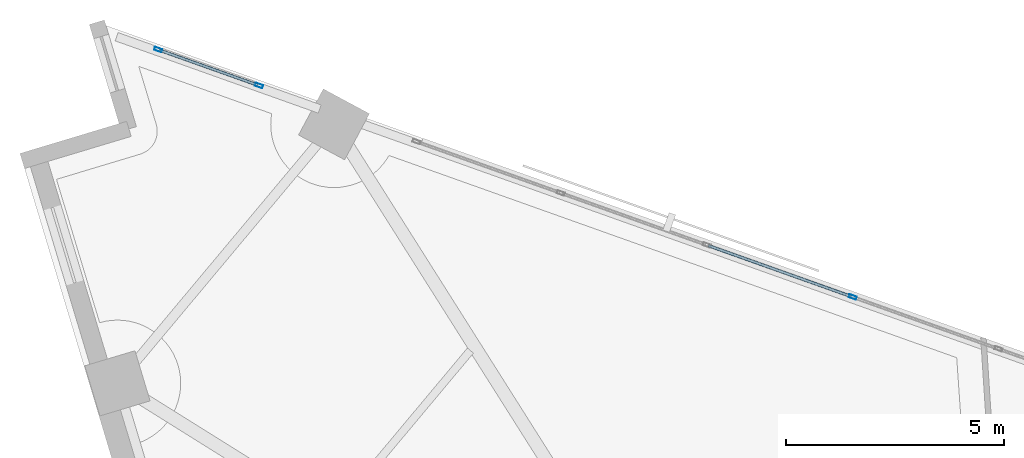
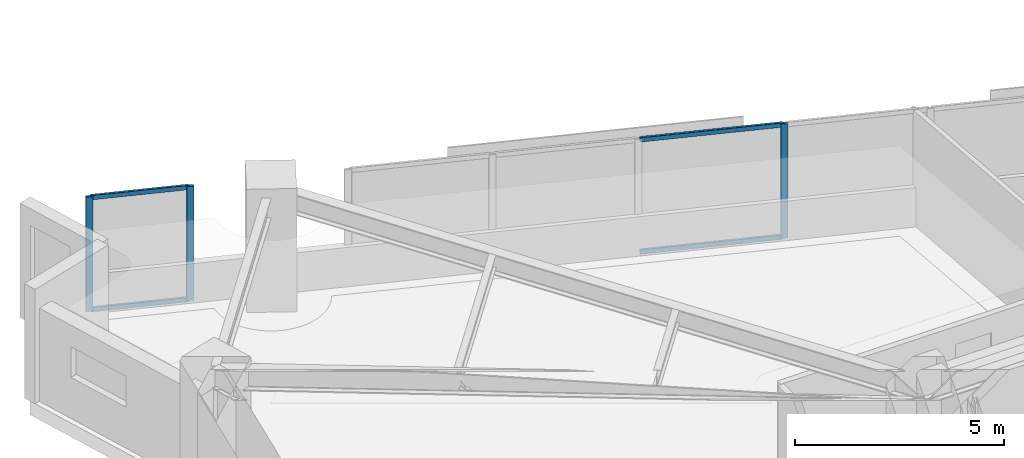
# One storey, part 7 of 16: 7 members, 2 elements without a shape of their own.
"""IFC4 building model written with IfcOpenShell, lengths in metres."""

from ifc_helpers import new_model, si_unit, direction, frame, origin, origin_2d, place, context, subcontext, project, spatial, hollow_rectangle, extrude, material, material_profile, profile_set, type_object, element, aggregate, save


model = new_model("IFC4")

# Units and contexts
model_context = context("Model", 3, precision=1e-05, world=origin(), true_north=direction((0.0, 1.0)))
body_context = subcontext(model_context, "Body", "Model", "MODEL_VIEW")
ifc_project = project(units=[si_unit("LENGTHUNIT", "METRE"), si_unit("AREAUNIT", "SQUARE_METRE"), si_unit("VOLUMEUNIT", "CUBIC_METRE"), si_unit("PLANEANGLEUNIT", "RADIAN"), si_unit("MASSUNIT", "GRAM", prefix="KILO")], contexts=[model_context])

# Site, building, storey
site_placement = place(None, origin())
site = spatial("IfcSite", under=ifc_project, at=site_placement, CompositionType="ELEMENT")
building_placement = place(site_placement, origin())
building = spatial("IfcBuilding", under=site, at=building_placement, Name="Narakoshi Arena Tower", CompositionType="ELEMENT")
storey_placement = place(building_placement, frame((0.0, 0.0, 132.300048828125)))
storey = spatial("IfcBuildingStorey", under=building, at=storey_placement, Name="L35", CompositionType="ELEMENT", Elevation=132.300048828125)

# Curtain wall, member
ifc_material = material(Name="Anodised bronze aluminium 6063-T6", Category="aluminium")
curtain_wall_type = type_object("IfcCurtainWallType", Name="CW-HYP-MID", PredefinedType="NOTDEFINED", material=ifc_material)
curtain_wall_1_placement = place(storey_placement, origin())
curtain_wall_1 = element("IfcCurtainWall", 1, at=curtain_wall_1_placement, inside=storey, type_object=curtain_wall_type, Name="L35 Folded Hypotenuse Curtain Wall 2-1", PredefinedType="NOTDEFINED")
ifc_material_profile_1 = material_profile(ifc_material, hollow_rectangle(XDim=0.074951171875, YDim=0.179931640625, WallThickness=0.00390625, OuterFilletRadius=0.0048828125, at=origin_2d()), Name="MUL180x75x4")
ifc_profile_set_1 = profile_set([ifc_material_profile_1], Name="Anodised bronze aluminium 6063-T6")
member_type_1 = type_object("IfcMemberType", Name="MEM-MUL-180", PredefinedType="MULLION", material=ifc_profile_set_1)
member_1_placement = place(storey_placement, frame((74.43701171875, 67.490966796875, 0.0), z_axis=(0.0, 0.0, 1.0), x_axis=(-0.335518297139, -0.94203368957, 0.0)))
member_1 = element("IfcMember", 2, at=member_1_placement, type_object=member_type_1, Name="CW-02 mullion 5", PredefinedType="MULLION", context=body_context, shape_type="SweptSolid", body=[
    extrude(hollow_rectangle(XDim=0.074951171875, YDim=0.179931640625, WallThickness=0.00390625, OuterFilletRadius=0.0048828125, at=origin_2d()), origin(), (0.0, 0.0, 1.0), 3.33984375),
])

# Curtain wall, members
curtain_wall_2_placement = place(storey_placement, origin())
curtain_wall_2 = element("IfcCurtainWall", 3, at=curtain_wall_2_placement, inside=storey, type_object=curtain_wall_type, Name="L35 Folded Hypotenuse Curtain Wall 2-2", PredefinedType="NOTDEFINED")
member_2_placement = place(storey_placement, frame((60.826416015625, 72.33837890625, 0.0), z_axis=(0.0, 0.0, 1.0), x_axis=(-0.335541869571, -0.942025293591, 0.0)))
member_2 = element("IfcMember", 4, at=member_2_placement, type_object=member_type_1, Name="CW-02 mullion 1", PredefinedType="MULLION", context=body_context, shape_type="SweptSolid", body=[
    extrude(hollow_rectangle(XDim=0.074951171875, YDim=0.179931640625, WallThickness=0.00390625, OuterFilletRadius=0.0048828125, at=origin_2d()), origin(), (0.0, 0.0, 1.0), 3.33984375),
])
member_3_placement = place(storey_placement, frame((58.515625, 73.16162109375, 0.0), z_axis=(0.0, 0.0, 1.0), x_axis=(-0.335541869571, -0.942025293591, 0.0)))
member_3 = element("IfcMember", 5, at=member_3_placement, type_object=member_type_1, Name="CW-02 mullion 2", PredefinedType="MULLION", context=body_context, shape_type="SweptSolid", body=[
    extrude(hollow_rectangle(XDim=0.074951171875, YDim=0.179931640625, WallThickness=0.00390625, OuterFilletRadius=0.0048828125, at=origin_2d()), origin(), (0.0, 0.0, 1.0), 3.33984375),
])

# Member
ifc_material_profile_2 = material_profile(ifc_material, hollow_rectangle(XDim=0.06494140625, YDim=0.1298828125, WallThickness=0.00390625, OuterFilletRadius=0.0048828125, at=origin_2d()), Name="TRN130x65x4")
ifc_profile_set_2 = profile_set([ifc_material_profile_2], Name="Anodised bronze aluminium 6063-T6")
member_type_2 = type_object("IfcMemberType", Name="MEM-TRN-130", PredefinedType="USERDEFINED", material=ifc_profile_set_2)
member_4_placement = place(storey_placement, frame((74.401611328125, 67.50341796875, 0.032470703125), z_axis=(-0.942037165195, 0.335508538477, 0.0), x_axis=(-0.335508538477, -0.942037165195, 0.0)))
member_4 = element("IfcMember", 6, at=member_4_placement, type_object=member_type_2, Name="CW-02 transom 5.1", ObjectType="TRANSOM", PredefinedType="USERDEFINED", context=body_context, shape_type="SweptSolid", body=[
    extrude(hollow_rectangle(XDim=0.06494140625, YDim=0.1298828125, WallThickness=0.00390625, OuterFilletRadius=0.0048828125, at=origin_2d()), origin(), (0.0, 0.0, 1.0), 3.475341796875),
])

member_5_placement = place(storey_placement, frame((74.401611328125, 67.50341796875, 3.307373046875), z_axis=(-0.942037165195, 0.335508538477, 0.0), x_axis=(-0.335508538477, -0.942037165195, 0.0)))
member_5 = element("IfcMember", 7, at=member_5_placement, type_object=member_type_2, Name="CW-02 transom 5.2", ObjectType="TRANSOM", PredefinedType="USERDEFINED", context=body_context, shape_type="SweptSolid", body=[
    extrude(hollow_rectangle(XDim=0.06494140625, YDim=0.1298828125, WallThickness=0.00390625, OuterFilletRadius=0.0048828125, at=origin_2d()), origin(), (0.0, 0.0, 1.0), 3.475341796875),
])

aggregate(curtain_wall_1, [member_1, member_4, member_5])

member_6_placement = place(storey_placement, frame((60.791015625, 72.35107421875, 0.032470703125), z_axis=(-0.942027291531, 0.335536260351, 0.0), x_axis=(-0.335536260351, -0.942027291531, 0.0)))
member_6 = element("IfcMember", 8, at=member_6_placement, type_object=member_type_2, Name="CW-02 transom 1.1", ObjectType="TRANSOM", PredefinedType="USERDEFINED", context=body_context, shape_type="SweptSolid", body=[
    extrude(hollow_rectangle(XDim=0.06494140625, YDim=0.1298828125, WallThickness=0.00390625, OuterFilletRadius=0.0048828125, at=origin_2d()), origin(), (0.0, 0.0, 1.0), 2.3779296875),
])

member_7_placement = place(storey_placement, frame((60.791015625, 72.35107421875, 3.307373046875), z_axis=(-0.942027291531, 0.335536260351, 0.0), x_axis=(-0.335536260351, -0.942027291531, 0.0)))
member_7 = element("IfcMember", 9, at=member_7_placement, type_object=member_type_2, Name="CW-02 transom 1.2", ObjectType="TRANSOM", PredefinedType="USERDEFINED", context=body_context, shape_type="SweptSolid", body=[
    extrude(hollow_rectangle(XDim=0.06494140625, YDim=0.1298828125, WallThickness=0.00390625, OuterFilletRadius=0.0048828125, at=origin_2d()), origin(), (0.0, 0.0, 1.0), 2.3779296875),
])

aggregate(curtain_wall_2, [member_2, member_3, member_6, member_7])

save(model, "model.ifc")
